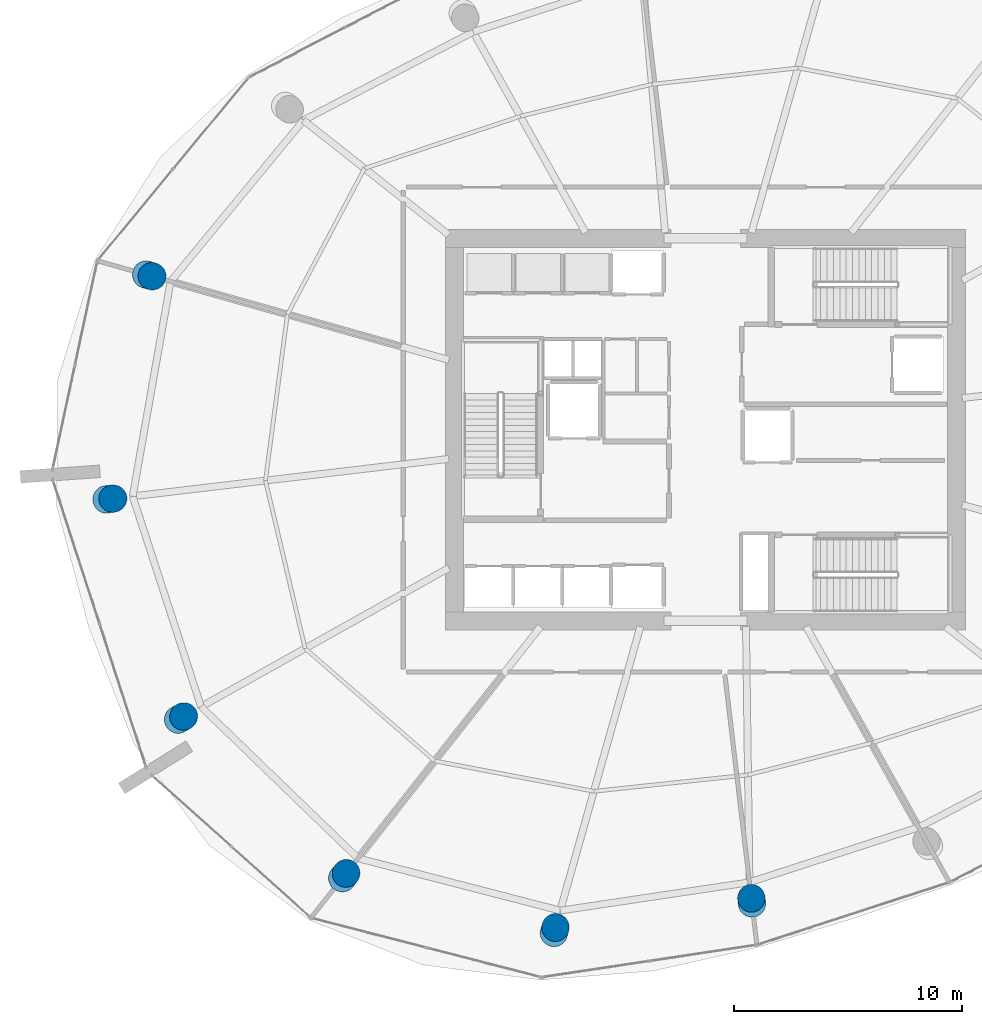
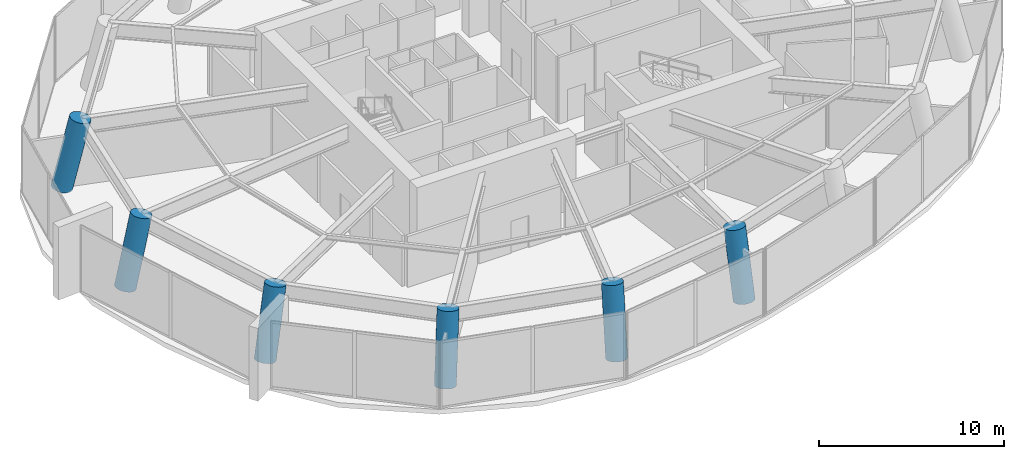
# One storey, part 1 of 16: 6 columns.
"""IFC4 building model written with IfcOpenShell, lengths in metres."""

import ifcopenshell
import ifcopenshell.guid

model = None  # the IFC model being written
_history = None  # IfcOwnerHistory: only IFC2X3 demands one
_inside = {}  # id of a spatial element -> (the spatial element, [elements in it])
_under = {}  # id of a project, library or spatial element -> (it, [spatial elements below it])
_declared = {}  # id of a project -> (the project, [libraries it declares])
_typed = {}  # id of a type object -> (the type object, [elements of that type])
_made_of = {}  # id of a material, layer set ... -> (it, [elements and type objects made of it])


def new_model(schema):
    """Start an empty IFC model of exactly this schema.

    Asked for "IFC4X3", IfcOpenShell would pick the latest addendum, in which some entities
    have other attributes; the version numbers below select the first issue.
    IFC2X3 requires an IfcOwnerHistory on every rooted entity: one is made here for all.
    """
    global model, _history
    if schema == "IFC4X3":
        model = ifcopenshell.file(schema_version=(4, 3, 0, 0))
    else:
        model = ifcopenshell.file(schema=schema)
    _inside.clear()
    _under.clear()
    _declared.clear()
    _typed.clear()
    _made_of.clear()
    _history = None
    if model.schema == "IFC2X3":
        org = make("IfcOrganization", Name="unknown")
        user = make(
            "IfcPersonAndOrganization",
            ThePerson=make("IfcPerson", FamilyName="unknown"),
            TheOrganization=org,
        )
        app = make(
            "IfcApplication",
            ApplicationDeveloper=org,
            Version="unknown",
            ApplicationFullName="unknown",
            ApplicationIdentifier="unknown",
        )
        _history = make(
            "IfcOwnerHistory",
            OwningUser=user,
            OwningApplication=app,
            ChangeAction="ADDED",
            CreationDate=0,
        )
    return model


def make(cls, **values):
    """One entity of the class cls with the attributes given. An attribute that is None is left unset."""
    return model.create_entity(
        cls, **{name: value for name, value in values.items() if value is not None}
    )


def rooted(cls, **values):
    """An entity with a GlobalId (a new one), such as an element, a storey or a relation."""
    return make(cls, GlobalId=ifcopenshell.guid.new(), OwnerHistory=_history, **values)


def si_unit(unit_type, name, prefix=None):
    """IfcSIUnit, for example si_unit("LENGTHUNIT", "METRE", prefix="MILLI")."""
    return make("IfcSIUnit", UnitType=unit_type, Prefix=prefix, Name=name)


def assignment(units):
    """IfcUnitAssignment: the units of a project."""
    return None if units is None else make("IfcUnitAssignment", Units=units)


def point(xyz):
    """IfcCartesianPoint."""
    return None if xyz is None else make("IfcCartesianPoint", Coordinates=xyz)


def direction(xyz):
    """IfcDirection."""
    return None if xyz is None else make("IfcDirection", DirectionRatios=xyz)


def frame(location, z_axis=None, x_axis=None):
    """IfcAxis2Placement3D, a coordinate frame: its origin and axes. An axis left out is left unset."""
    return make(
        "IfcAxis2Placement3D",
        Location=point(location),
        Axis=direction(z_axis),
        RefDirection=direction(x_axis),
    )


def frame_2d(location, x_axis=None):
    """IfcAxis2Placement2D, a coordinate frame in the plane: its origin and x axis."""
    return make(
        "IfcAxis2Placement2D", Location=point(location), RefDirection=direction(x_axis)
    )


def origin():
    """The frame at (0, 0, 0) with its axes left unset."""
    return frame((0.0, 0.0, 0.0))


def origin_2d():
    """The frame at (0, 0) in the plane with its x axis left unset."""
    return frame_2d((0.0, 0.0))


def place(relative_to, where):
    """IfcLocalPlacement: puts the frame where relative to a parent placement (None: the world)."""
    return make(
        "IfcLocalPlacement", PlacementRelTo=relative_to, RelativePlacement=where
    )


def context(
    kind, dimensions, precision=None, world=None, true_north=None, identifier=None
):
    """IfcGeometricRepresentationContext, for example the 3D "Model" context."""
    return make(
        "IfcGeometricRepresentationContext",
        ContextIdentifier=identifier,
        ContextType=kind,
        CoordinateSpaceDimension=dimensions,
        Precision=precision,
        WorldCoordinateSystem=world,
        TrueNorth=true_north,
    )


def subcontext(parent, identifier, kind, view, scale=None):
    """IfcGeometricRepresentationSubContext, for example "Body" below "Model"."""
    return make(
        "IfcGeometricRepresentationSubContext",
        ContextIdentifier=identifier,
        ContextType=kind,
        ParentContext=parent,
        TargetScale=scale,
        TargetView=view,
    )


def project(units=None, contexts=None):
    """IfcProject with its units and contexts."""
    return rooted(
        "IfcProject",
        Name="project",
        RepresentationContexts=contexts,
        UnitsInContext=assignment(units),
    )


def spatial(cls, under=None, at=None, **own):
    """A site, building, storey or space (cls), placed at a placement, below another one or the project."""
    s = rooted(cls, ObjectPlacement=at, **own)
    if under is not None:
        _under.setdefault(under.id(), (under, []))[1].append(s)
    return s


def profile(cls, at=None, kind="AREA", **sizes):
    """A parametric profile (cls). Its sizes go by their IFC names, for example OverallWidth=200.0."""
    return make(cls, ProfileType=kind, Position=at, **sizes)


def circle(**sizes):
    """IfcCircleProfileDef."""
    return profile("IfcCircleProfileDef", **sizes)


def extrude(swept, where, along, depth):
    """IfcExtrudedAreaSolid: the profile swept, set in the frame where, extruded along a direction by depth."""
    return make(
        "IfcExtrudedAreaSolid",
        SweptArea=swept,
        Position=where,
        ExtrudedDirection=direction(along),
        Depth=depth,
    )


def shape(context_of_items, identifier, shape_type, items):
    """IfcShapeRepresentation: the items that make up one representation, for example the "Body"."""
    return make(
        "IfcShapeRepresentation",
        ContextOfItems=context_of_items,
        RepresentationIdentifier=identifier,
        RepresentationType=shape_type,
        Items=items,
    )


def material(Name=None, Category=None):
    """IfcMaterial."""
    return make("IfcMaterial", Name=Name, Category=Category)


def material_profile(
    of_material, cross_section, Name=None, Category=None, Priority=None
):
    """IfcMaterialProfile: a cross section and its material."""
    return make(
        "IfcMaterialProfile",
        Name=Name,
        Material=of_material,
        Profile=cross_section,
        Priority=Priority,
        Category=Category,
    )


def profile_set(profiles, Name=None, composite=None):
    """IfcMaterialProfileSet."""
    return make(
        "IfcMaterialProfileSet",
        Name=Name,
        MaterialProfiles=profiles,
        CompositeProfile=composite,
    )


def made_of(thing, what):
    """Note that an element or type object is made of a material, layer set ...; save() writes the relation."""
    if what is not None:
        _made_of.setdefault(what.id(), (what, []))[1].append(thing)
    return thing


def type_object(cls, material=None, **own):
    """A type object (cls), such as IfcWallType, which elements share."""
    return made_of(rooted(cls, **own), material)


def element(
    cls,
    number,
    at=None,
    inside=None,
    cuts=None,
    type_object=None,
    material=None,
    context=None,
    identifier="Body",
    shape_type=None,
    held_by="IfcProductDefinitionShape",
    body=None,
    shapes=None,
    **own,
):
    """One element of the class cls, such as IfcWall. Its Tag is "e" and its number.

    at: its placement. inside: the storey or other place that contains it. cuts: it is an
    opening in that element (IfcRelVoidsElement). A single representation is given by context,
    identifier, shape_type and body (its items); several are given by shapes. held_by: the class
    of the entity that holds the representations. save() writes the other relations.
    """
    e = rooted(cls, Tag="e%d" % number, ObjectPlacement=at, **own)
    if body is not None:
        shapes = [shape(context, identifier, shape_type, body)]
    if shapes is not None:
        e.Representation = make(held_by, Representations=shapes)
    if inside is not None:
        _inside.setdefault(inside.id(), (inside, []))[1].append(e)
    if cuts is not None:
        rooted(
            "IfcRelVoidsElement", RelatingBuildingElement=cuts, RelatedOpeningElement=e
        )
    if type_object is not None:
        _typed.setdefault(type_object.id(), (type_object, []))[1].append(e)
    return made_of(e, material)


def aggregate(whole, parts):
    """IfcRelAggregates: a whole, such as a stair, and the parts it consists of."""
    return rooted("IfcRelAggregates", RelatingObject=whole, RelatedObjects=parts)


def save(model, path):
    """Write the relations noted so far, then the file.

    IfcRelAggregates (storeys below a building ...), IfcRelContainedInSpatialStructure (elements
    in a storey), IfcRelDefinesByType, IfcRelAssociatesMaterial and IfcRelDeclares: one each for
    every whole, place, type object, material and project.
    """
    for whole, parts in _under.values():
        aggregate(whole, parts)
    for where, things in _inside.values():
        rooted(
            "IfcRelContainedInSpatialStructure",
            RelatedElements=things,
            RelatingStructure=where,
        )
    for kind, things in _typed.values():
        rooted("IfcRelDefinesByType", RelatedObjects=things, RelatingType=kind)
    for what, things in _made_of.values():
        rooted("IfcRelAssociatesMaterial", RelatedObjects=things, RelatingMaterial=what)
    for by, libraries in _declared.values():
        rooted("IfcRelDeclares", RelatingContext=by, RelatedDefinitions=libraries)
    model.write(path)


model = new_model("IFC4")

# Units and contexts
model_context = context("Model", 3, precision=1e-05, world=origin(), true_north=direction((0.0, 1.0)))
body_context = subcontext(model_context, "Body", "Model", "MODEL_VIEW")
ifc_project = project(units=[si_unit("LENGTHUNIT", "METRE"), si_unit("AREAUNIT", "SQUARE_METRE"), si_unit("VOLUMEUNIT", "CUBIC_METRE"), si_unit("PLANEANGLEUNIT", "RADIAN"), si_unit("MASSUNIT", "GRAM", prefix="KILO")], contexts=[model_context])

# Site, building, storey
site_placement = place(None, origin())
site = spatial("IfcSite", under=ifc_project, at=site_placement, CompositionType="ELEMENT")
building_placement = place(site_placement, origin())
building = spatial("IfcBuilding", under=site, at=building_placement, Name="Kazma Halo Residences", CompositionType="ELEMENT")
storey_placement = place(building_placement, frame((0.0, 0.0, 123.0)))
storey = spatial("IfcBuildingStorey", under=building, at=storey_placement, Name="L30", CompositionType="ELEMENT", Elevation=123.0)

# Columns
ifc_material = material(Name="Concrete C80/95", Category="concrete")
ifc_material_profile = material_profile(ifc_material, circle(Radius=0.60009765625, at=origin_2d()), Name="CIRC1200")
ifc_profile_set = profile_set([ifc_material_profile], Name="Concrete C80/95")
column_type = type_object("IfcColumnType", Name="COL-PERIM-1200", PredefinedType="COLUMN", material=ifc_profile_set)
column_1_placement = place(storey_placement, frame((23.844482421875, 48.8125, 0.0), z_axis=(0.220171122763, -0.062064921505, 0.973484782737), x_axis=(0.271319947566, 0.962489213473, 0.0)))
element("IfcColumn", 1, at=column_1_placement, inside=storey, type_object=column_type, Name="L30 perimeter ring column P07", PredefinedType="COLUMN", context=body_context, shape_type="SweptSolid", body=[
    extrude(circle(Radius=0.60009765625, at=origin_2d()), origin(), (0.0, 0.0, 1.0), 4.519775390625),
])
for number, where, z_axis, x_axis, name in (
    (2, (22.102783203125, 38.934814453125, 0.0), (0.235611885109, 0.027868072432, 0.971447584862), (-0.117460782169, 0.993077521975, 0.0), "L30 perimeter ring column P08"),
    (3, (25.2470703125, 29.2578125, 0.0), (0.206990617133, 0.115893184072, 0.971454401557), (-0.4885341758, 0.872544760499, 0.0), "L30 perimeter ring column P09"),
):
    element("IfcColumn", number, at=place(storey_placement, frame(where, z_axis=z_axis, x_axis=x_axis)), inside=storey, type_object=column_type, Name=name, PredefinedType="COLUMN", context=body_context, shape_type="SweptSolid", body=[
        extrude(circle(Radius=0.60009765625, at=origin_2d()), origin(), (0.0, 0.0, 1.0), 4.529296875),
    ])
column_2_placement = place(storey_placement, frame((32.462158203125, 22.290283203125, 0.0), z_axis=(0.141630520898, 0.179657937645, 0.97348026225), x_axis=(-0.785317732316, 0.619092932692, 0.0)))
element("IfcColumn", 4, at=column_2_placement, inside=storey, type_object=column_type, Name="L30 perimeter ring column P10", PredefinedType="COLUMN", context=body_context, shape_type="SweptSolid", body=[
    extrude(circle(Radius=0.60009765625, at=origin_2d()), origin(), (0.0, 0.0, 1.0), 4.519775390625),
])
column_3_placement = place(storey_placement, frame((41.7626953125, 19.88427734375, 0.0), z_axis=(0.057067229821, 0.202447625182, 0.977628912389), x_axis=(-0.96249113016, 0.271313148159, 0.0)))
element("IfcColumn", 5, at=column_3_placement, inside=storey, type_object=column_type, Name="L30 perimeter ring column P11", PredefinedType="COLUMN", context=body_context, shape_type="SweptSolid", body=[
    extrude(circle(Radius=0.60009765625, at=origin_2d()), origin(), (0.0, 0.0, 1.0), 4.50048828125),
])
column_4_placement = place(storey_placement, frame((50.4638671875, 21.183349609375, 0.0), z_axis=(-0.022650658949, 0.19127828098, 0.981274460523), x_axis=(-0.993061557563, -0.117595675476, 0.0)))
element("IfcColumn", 6, at=column_4_placement, inside=storey, type_object=column_type, Name="L30 perimeter ring column P12", PredefinedType="COLUMN", context=body_context, shape_type="SweptSolid", body=[
    extrude(circle(Radius=0.60009765625, at=origin_2d()), origin(), (0.0, 0.0, 1.0), 4.48388671875),
])

save(model, "model.ifc")
